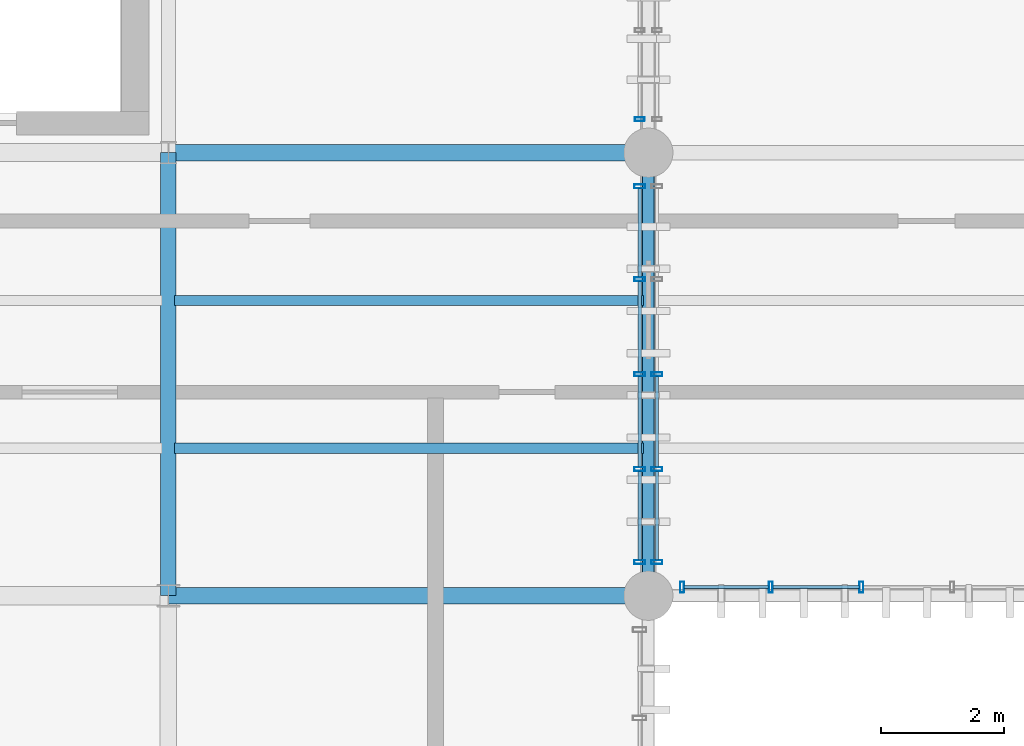
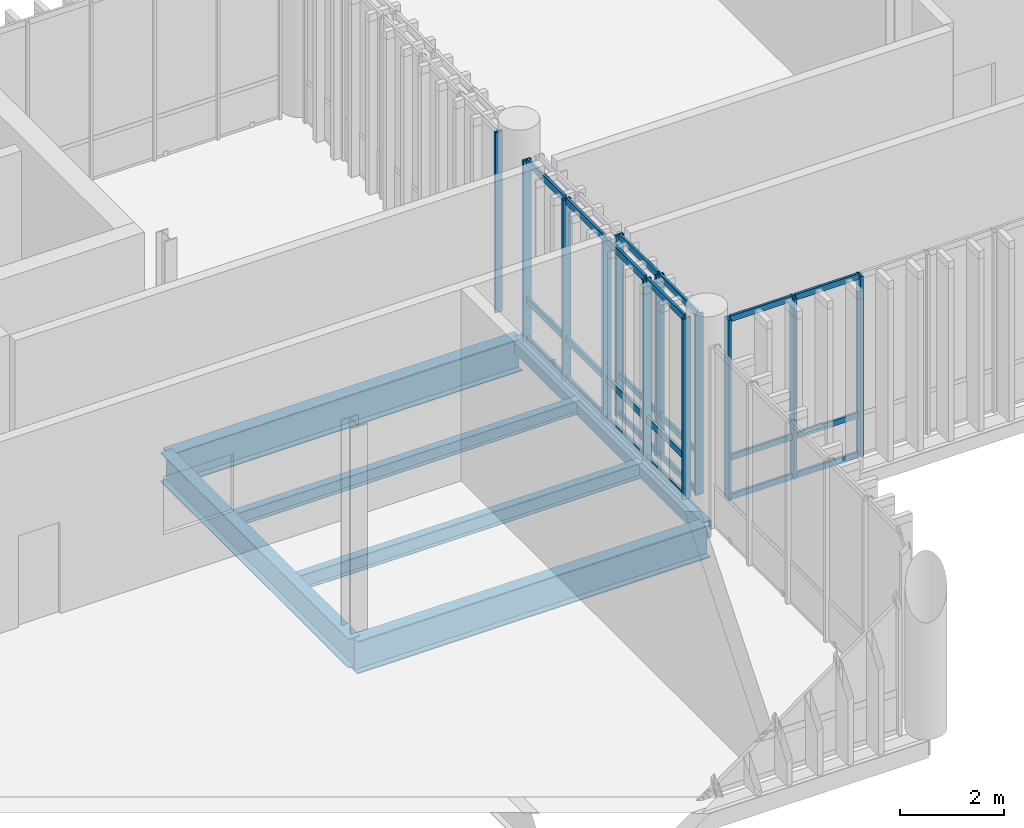
# One storey, part 26 of 94: 36 members, 6 beams, 4 elements without a shape of their own.
"""IFC4 building model written with IfcOpenShell, lengths in metres."""

from ifc_helpers import new_model, si_unit, direction, frame, origin_with_axes, origin_2d_with_axis, place, context, subcontext, project, spatial, hollow_rectangle, i_section, extrude, material, material_profile, profile_set, type_object, element, aggregate, save


model = new_model("IFC4")

# Units and contexts
model_context = context("Model", 3, precision=1e-05, world=origin_with_axes(), true_north=direction((0.0, 1.0)))
body_context = subcontext(model_context, "Body", "Model", "MODEL_VIEW")
ifc_project = project(units=[si_unit("LENGTHUNIT", "METRE"), si_unit("AREAUNIT", "SQUARE_METRE"), si_unit("VOLUMEUNIT", "CUBIC_METRE"), si_unit("PLANEANGLEUNIT", "RADIAN"), si_unit("MASSUNIT", "GRAM", prefix="KILO"), si_unit("THERMODYNAMICTEMPERATUREUNIT", "KELVIN")], contexts=[model_context])

# Site, building, storey
site_placement = place(None, origin_with_axes())
site = spatial("IfcSite", under=ifc_project, at=site_placement, CompositionType="ELEMENT")
building_placement = place(site_placement, origin_with_axes())
building = spatial("IfcBuilding", under=site, at=building_placement, Name="Montbau Bow Law Courts", CompositionType="ELEMENT")
storey_placement = place(building_placement, frame((0.0, 0.0, 15.6), z_axis=(0.0, 0.0, 1.0), x_axis=(1.0, 0.0, 0.0)))
storey = spatial("IfcBuildingStorey", under=building, at=storey_placement, Name="L03", CompositionType="ELEMENT", Elevation=15.6)

# Beams
ifc_material_1 = material(Name="Steel CSA G40.21 Grade 350W (350 MPa)", Category="steel")
ifc_material_profile_1 = material_profile(ifc_material_1, i_section(OverallWidth=0.267, OverallDepth=0.766, WebThickness=0.0149, FlangeThickness=0.0236, at=origin_2d_with_axis()), Name="W760X185", Category="Main", Priority=0)
ifc_profile_set_1 = profile_set([ifc_material_profile_1], Name="Steel CSA G40.21 Grade 350W (350 MPa)")
beam_type_1 = type_object("IfcBeamType", Name="B-FLR-03", PredefinedType="BEAM", material=ifc_profile_set_1)
for number, where, z_axis, x_axis, name in (
    (1, (39.0, 39.0, 14.957), (1.0, 0.0, 0.0), (0.0, 1.0, 0.0), "BM-L03-S0590:bm2_0593"),
    (2, (39.0, 46.2, 14.957), (1.0, 0.0, 0.0), (0.0, 1.0, 0.0), "BM-L03-S0595:bm2_0598"),
):
    element("IfcBeam", number, at=place(None, frame(where, z_axis=z_axis, x_axis=x_axis)), inside=storey, type_object=beam_type_1, Name=name, PredefinedType="BEAM", context=body_context, shape_type="SweptSolid", body=[
        extrude(i_section(OverallWidth=0.267, OverallDepth=0.766, WebThickness=0.0149, FlangeThickness=0.0236, at=origin_2d_with_axis()), origin_with_axes(), (0.0, 0.0, 1.0), 7.8),
    ])
ifc_material_profile_2 = material_profile(ifc_material_1, i_section(OverallWidth=0.254, OverallDepth=0.688, WebThickness=0.0131, FlangeThickness=0.0211, at=origin_2d_with_axis()), Name="W690X152", Category="Main", Priority=0)
ifc_profile_set_2 = profile_set([ifc_material_profile_2], Name="Steel CSA G40.21 Grade 350W (350 MPa)")
beam_type_2 = type_object("IfcBeamType", Name="B-FLR-04", PredefinedType="BEAM", material=ifc_profile_set_2)
beam_1_placement = place(None, frame((39.0, 39.0, 15.016), z_axis=(0.0, 1.0, 0.0), x_axis=(-1.0, 0.0, 0.0)))
element("IfcBeam", 3, at=beam_1_placement, inside=storey, type_object=beam_type_2, Name="BM-L03-S0612:bm2_0615", PredefinedType="BEAM", context=body_context, shape_type="SweptSolid", body=[
    extrude(i_section(OverallWidth=0.254, OverallDepth=0.688, WebThickness=0.0131, FlangeThickness=0.0211, at=origin_2d_with_axis()), origin_with_axes(), (0.0, 0.0, 1.0), 7.2),
])
ifc_material_profile_3 = material_profile(ifc_material_1, i_section(OverallWidth=0.172, OverallDepth=0.358, WebThickness=0.0079, FlangeThickness=0.0131, at=origin_2d_with_axis()), Name="W360X57", Category="Main", Priority=0)
ifc_profile_set_3 = profile_set([ifc_material_profile_3], Name="Steel CSA G40.21 Grade 350W (350 MPa)")
beam_type_3 = type_object("IfcBeamType", Name="B-JST-03", PredefinedType="JOIST", material=ifc_profile_set_3)
beam_2_placement = place(None, frame((39.103, 41.4, 15.161), z_axis=(1.0, 0.0, 0.0), x_axis=(0.0, 1.0, 0.0)))
element("IfcBeam", 4, at=beam_2_placement, inside=storey, type_object=beam_type_3, Name="JST-L03-S0298:jst2_0298", PredefinedType="JOIST", context=body_context, shape_type="SweptSolid", body=[
    extrude(i_section(OverallWidth=0.172, OverallDepth=0.358, WebThickness=0.0079, FlangeThickness=0.0131, at=origin_2d_with_axis()), origin_with_axes(), (0.0, 0.0, 1.0), 7.617),
])
ifc_material_profile_4 = material_profile(ifc_material_1, i_section(OverallWidth=0.166, OverallDepth=0.313, WebThickness=0.0066, FlangeThickness=0.0112, at=origin_2d_with_axis()), Name="W310X45", Category="Main", Priority=0)
ifc_profile_set_4 = profile_set([ifc_material_profile_4], Name="Steel CSA G40.21 Grade 350W (350 MPa)")
beam_type_4 = type_object("IfcBeamType", Name="B-JST-04", PredefinedType="JOIST", material=ifc_profile_set_4)
beam_3_placement = place(None, frame((39.103, 43.8, 15.184), z_axis=(1.0, 0.0, 0.0), x_axis=(0.0, 1.0, 0.0)))
element("IfcBeam", 5, at=beam_3_placement, inside=storey, type_object=beam_type_4, Name="JST-L03-S0299:jst2_0299", PredefinedType="JOIST", context=body_context, shape_type="SweptSolid", body=[
    extrude(i_section(OverallWidth=0.166, OverallDepth=0.313, WebThickness=0.0066, FlangeThickness=0.0112, at=origin_2d_with_axis()), origin_with_axes(), (0.0, 0.0, 1.0), 7.617),
])
ifc_material_2 = material(Name="Steel CSA G40.21 Grade 350WT (350 MPa)", Category="steel")
ifc_material_profile_5 = material_profile(ifc_material_2, hollow_rectangle(XDim=0.203, YDim=0.406, WallThickness=0.0127, InnerFilletRadius=0.0254, OuterFilletRadius=0.0127, at=origin_2d_with_axis()), Name="HSS406X203X13", Category="Main", Priority=0)
ifc_profile_set_5 = profile_set([ifc_material_profile_5], Name="Steel CSA G40.21 Grade 350WT (350 MPa)")
beam_type_5 = type_object("IfcBeamType", Name="B-SPN-01", PredefinedType="SPANDREL", material=ifc_profile_set_5)
beam_4_placement = place(None, frame((46.8, 39.0, 15.137), z_axis=(0.0, 1.0, 0.0), x_axis=(-1.0, 0.0, 0.0)))
element("IfcBeam", 6, at=beam_4_placement, inside=storey, type_object=beam_type_5, Name="SPN-L03-S0615:bm2_0618", PredefinedType="SPANDREL", context=body_context, shape_type="SweptSolid", body=[
    extrude(hollow_rectangle(XDim=0.203, YDim=0.406, WallThickness=0.0127, InnerFilletRadius=0.0254, OuterFilletRadius=0.0127, at=origin_2d_with_axis()), origin_with_axes(), (0.0, 0.0, 1.0), 7.2),
])

# Curtain wall, members
ifc_material_3 = material(Name="Thermally Broken Extruded Aluminium AA 6063-T6", Category="aluminium")
curtain_wall_type_1 = type_object("IfcCurtainWallType", Name="CW-TRC-01", PredefinedType="NOTDEFINED", material=ifc_material_3)
curtain_wall_1_placement = place(None, frame((46.66, 39.515, 15.6), z_axis=(0.0, 0.0, 1.0), x_axis=(1.0, 0.0, 0.0)))
curtain_wall_1 = element("IfcCurtainWall", 7, at=curtain_wall_1_placement, inside=storey, type_object=curtain_wall_type_1, Name="CW-L03-064:cw_0064", PredefinedType="NOTDEFINED")
ifc_material_profile_6 = material_profile(ifc_material_3, hollow_rectangle(XDim=0.065, YDim=0.18, WallThickness=0.005, InnerFilletRadius=0.01, OuterFilletRadius=0.005, at=origin_2d_with_axis()), Name="CWM-180X65", Category="Main", Priority=0)
ifc_profile_set_6 = profile_set([ifc_material_profile_6], Name="Thermally Broken Extruded Aluminium AA 6063-T6")
member_type_1 = type_object("IfcMemberType", Name="M-MUL-02", PredefinedType="MULLION", material=ifc_profile_set_6)
member_1_placement = place(None, frame((46.66, 39.548, 15.6), z_axis=(0.0, 0.0, 1.0), x_axis=(0.0, 1.0, 0.0)))
member_1 = element("IfcMember", 8, at=member_1_placement, type_object=member_type_1, Name="CW-L03-064-M01:cw_0064_M01", PredefinedType="MULLION", context=body_context, shape_type="SweptSolid", body=[
    extrude(hollow_rectangle(XDim=0.065, YDim=0.18, WallThickness=0.005, InnerFilletRadius=0.01, OuterFilletRadius=0.005, at=origin_2d_with_axis()), origin_with_axes(), (0.0, 0.0, 1.0), 4.22),
])
member_2_placement = place(None, frame((46.66, 41.058, 15.6), z_axis=(0.0, 0.0, 1.0), x_axis=(0.0, 1.0, 0.0)))
member_2 = element("IfcMember", 9, at=member_2_placement, type_object=member_type_1, Name="CW-L03-064-M02:cw_0064_M02", PredefinedType="MULLION", context=body_context, shape_type="SweptSolid", body=[
    extrude(hollow_rectangle(XDim=0.065, YDim=0.18, WallThickness=0.005, InnerFilletRadius=0.01, OuterFilletRadius=0.005, at=origin_2d_with_axis()), origin_with_axes(), (0.0, 0.0, 1.0), 4.22),
])
member_3_placement = place(None, frame((46.66, 42.6, 15.6), z_axis=(0.0, 0.0, 1.0), x_axis=(0.0, 1.0, 0.0)))
member_3 = element("IfcMember", 10, at=member_3_placement, type_object=member_type_1, Name="CW-L03-064-M03:cw_0064_M03", PredefinedType="MULLION", context=body_context, shape_type="SweptSolid", body=[
    extrude(hollow_rectangle(XDim=0.065, YDim=0.18, WallThickness=0.005, InnerFilletRadius=0.01, OuterFilletRadius=0.005, at=origin_2d_with_axis()), origin_with_axes(), (0.0, 0.0, 1.0), 4.22),
])
member_4_placement = place(None, frame((46.66, 44.143, 15.6), z_axis=(0.0, 0.0, 1.0), x_axis=(0.0, 1.0, 0.0)))
member_4 = element("IfcMember", 11, at=member_4_placement, type_object=member_type_1, Name="CW-L03-064-M04:cw_0064_M04", PredefinedType="MULLION", context=body_context, shape_type="SweptSolid", body=[
    extrude(hollow_rectangle(XDim=0.065, YDim=0.18, WallThickness=0.005, InnerFilletRadius=0.01, OuterFilletRadius=0.005, at=origin_2d_with_axis()), origin_with_axes(), (0.0, 0.0, 1.0), 4.22),
])
member_5_placement = place(None, frame((46.66, 45.653, 15.6), z_axis=(0.0, 0.0, 1.0), x_axis=(0.0, 1.0, 0.0)))
member_5 = element("IfcMember", 12, at=member_5_placement, type_object=member_type_1, Name="CW-L03-064-M05:cw_0064_M05", PredefinedType="MULLION", context=body_context, shape_type="SweptSolid", body=[
    extrude(hollow_rectangle(XDim=0.065, YDim=0.18, WallThickness=0.005, InnerFilletRadius=0.01, OuterFilletRadius=0.005, at=origin_2d_with_axis()), origin_with_axes(), (0.0, 0.0, 1.0), 4.22),
])

curtain_wall_type_2 = type_object("IfcCurtainWallType", Name="CW-CRM-01", PredefinedType="NOTDEFINED", material=ifc_material_3)
curtain_wall_2_placement = place(None, frame((47.315, 39.14, 15.6), z_axis=(0.0, 0.0, 1.0), x_axis=(1.0, 0.0, 0.0)))
curtain_wall_2 = element("IfcCurtainWall", 13, at=curtain_wall_2_placement, inside=storey, type_object=curtain_wall_type_2, Name="CW-L03-175:cw_0175", PredefinedType="NOTDEFINED")
member_6_placement = place(None, frame((47.348, 39.14, 15.6), z_axis=(0.0, 0.0, 1.0), x_axis=(1.0, 0.0, 0.0)))
member_6 = element("IfcMember", 14, at=member_6_placement, type_object=member_type_1, Name="CW-L03-175-M01:cw_0175_M01", PredefinedType="MULLION", context=body_context, shape_type="SweptSolid", body=[
    extrude(hollow_rectangle(XDim=0.065, YDim=0.18, WallThickness=0.005, InnerFilletRadius=0.01, OuterFilletRadius=0.005, at=origin_2d_with_axis()), origin_with_axes(), (0.0, 0.0, 1.0), 4.22),
])
member_7_placement = place(None, frame((48.789, 39.14, 15.6), z_axis=(0.0, 0.0, 1.0), x_axis=(1.0, 0.0, 0.0)))
member_7 = element("IfcMember", 15, at=member_7_placement, type_object=member_type_1, Name="CW-L03-175-M02:cw_0175_M02", PredefinedType="MULLION", context=body_context, shape_type="SweptSolid", body=[
    extrude(hollow_rectangle(XDim=0.065, YDim=0.18, WallThickness=0.005, InnerFilletRadius=0.01, OuterFilletRadius=0.005, at=origin_2d_with_axis()), origin_with_axes(), (0.0, 0.0, 1.0), 4.22),
])
member_8_placement = place(None, frame((50.263, 39.14, 15.6), z_axis=(0.0, 0.0, 1.0), x_axis=(1.0, 0.0, 0.0)))
member_8 = element("IfcMember", 16, at=member_8_placement, type_object=member_type_1, Name="CW-L03-175-M03:cw_0175_M03", PredefinedType="MULLION", context=body_context, shape_type="SweptSolid", body=[
    extrude(hollow_rectangle(XDim=0.065, YDim=0.18, WallThickness=0.005, InnerFilletRadius=0.01, OuterFilletRadius=0.005, at=origin_2d_with_axis()), origin_with_axes(), (0.0, 0.0, 1.0), 4.22),
])

curtain_wall_3_placement = place(None, frame((46.94, 39.515, 15.6), z_axis=(0.0, 0.0, 1.0), x_axis=(1.0, 0.0, 0.0)))
curtain_wall_3 = element("IfcCurtainWall", 17, at=curtain_wall_3_placement, inside=storey, type_object=curtain_wall_type_2, Name="CW-L03-187:cw_0187", PredefinedType="NOTDEFINED")
member_9_placement = place(None, frame((46.94, 39.548, 15.6), z_axis=(0.0, 0.0, 1.0), x_axis=(0.0, 1.0, 0.0)))
member_9 = element("IfcMember", 18, at=member_9_placement, type_object=member_type_1, Name="CW-L03-187-M01:cw_0187_M01", PredefinedType="MULLION", context=body_context, shape_type="SweptSolid", body=[
    extrude(hollow_rectangle(XDim=0.065, YDim=0.18, WallThickness=0.005, InnerFilletRadius=0.01, OuterFilletRadius=0.005, at=origin_2d_with_axis()), origin_with_axes(), (0.0, 0.0, 1.0), 4.22),
])
member_10_placement = place(None, frame((46.94, 41.058, 15.6), z_axis=(0.0, 0.0, 1.0), x_axis=(0.0, 1.0, 0.0)))
member_10 = element("IfcMember", 19, at=member_10_placement, type_object=member_type_1, Name="CW-L03-187-M02:cw_0187_M02", PredefinedType="MULLION", context=body_context, shape_type="SweptSolid", body=[
    extrude(hollow_rectangle(XDim=0.065, YDim=0.18, WallThickness=0.005, InnerFilletRadius=0.01, OuterFilletRadius=0.005, at=origin_2d_with_axis()), origin_with_axes(), (0.0, 0.0, 1.0), 4.22),
])
member_11_placement = place(None, frame((46.94, 42.6, 15.6), z_axis=(0.0, 0.0, 1.0), x_axis=(0.0, 1.0, 0.0)))
member_11 = element("IfcMember", 20, at=member_11_placement, type_object=member_type_1, Name="CW-L03-187-M03:cw_0187_M03", PredefinedType="MULLION", context=body_context, shape_type="SweptSolid", body=[
    extrude(hollow_rectangle(XDim=0.065, YDim=0.18, WallThickness=0.005, InnerFilletRadius=0.01, OuterFilletRadius=0.005, at=origin_2d_with_axis()), origin_with_axes(), (0.0, 0.0, 1.0), 4.22),
])

# Curtain wall, member
curtain_wall_4_placement = place(None, frame((46.66, 46.715, 15.6), z_axis=(0.0, 0.0, 1.0), x_axis=(1.0, 0.0, 0.0)))
curtain_wall_4 = element("IfcCurtainWall", 21, at=curtain_wall_4_placement, inside=storey, type_object=curtain_wall_type_1, Name="CW-L03-065:cw_0065", PredefinedType="NOTDEFINED")
ifc_material_profile_7 = material_profile(ifc_material_3, hollow_rectangle(XDim=0.06, YDim=0.16, WallThickness=0.004, InnerFilletRadius=0.008, OuterFilletRadius=0.004, at=origin_2d_with_axis()), Name="CWM-160X60", Category="Main", Priority=0)
ifc_profile_set_7 = profile_set([ifc_material_profile_7], Name="Thermally Broken Extruded Aluminium AA 6063-T6")
member_type_2 = type_object("IfcMemberType", Name="M-MUL-03", PredefinedType="MULLION", material=ifc_profile_set_7)
member_12_placement = place(None, frame((46.66, 46.745, 15.6), z_axis=(0.0, 0.0, 1.0), x_axis=(0.0, 1.0, 0.0)))
member_12 = element("IfcMember", 22, at=member_12_placement, type_object=member_type_2, Name="CW-L03-065-M01:cw_0065_M01", PredefinedType="MULLION", context=body_context, shape_type="SweptSolid", body=[
    extrude(hollow_rectangle(XDim=0.06, YDim=0.16, WallThickness=0.004, InnerFilletRadius=0.008, OuterFilletRadius=0.004, at=origin_2d_with_axis()), origin_with_axes(), (0.0, 0.0, 1.0), 4.22),
])
aggregate(curtain_wall_4, [member_12])

# Member
ifc_material_profile_8 = material_profile(ifc_material_3, hollow_rectangle(XDim=0.06, YDim=0.16, WallThickness=0.004, InnerFilletRadius=0.008, OuterFilletRadius=0.004, at=origin_2d_with_axis()), Name="CWT-160X60", Category="Main", Priority=0)
ifc_profile_set_8 = profile_set([ifc_material_profile_8], Name="Thermally Broken Extruded Aluminium AA 6063-T6")
member_type_3 = type_object("IfcMemberType", Name="M-TRN-01", PredefinedType="USERDEFINED", material=ifc_profile_set_8)
member_13_placement = place(None, frame((46.66, 39.583, 15.63), z_axis=(0.0, 1.0, 0.0), x_axis=(-1.0, 0.0, 0.0)))
member_13 = element("IfcMember", 23, at=member_13_placement, type_object=member_type_3, Name="CW-L03-064-T01-1:cw_0064_T01_1", ObjectType="TRANSOM", PredefinedType="USERDEFINED", context=body_context, shape_type="SweptSolid", body=[
    extrude(hollow_rectangle(XDim=0.06, YDim=0.16, WallThickness=0.004, InnerFilletRadius=0.008, OuterFilletRadius=0.004, at=origin_2d_with_axis()), origin_with_axes(), (0.0, 0.0, 1.0), 1.44),
])

member_14_placement = place(None, frame((46.66, 39.583, 16.55), z_axis=(0.0, 1.0, 0.0), x_axis=(-1.0, 0.0, 0.0)))
member_14 = element("IfcMember", 24, at=member_14_placement, type_object=member_type_3, Name="CW-L03-064-T01-2:cw_0064_T01_2", ObjectType="TRANSOM", PredefinedType="USERDEFINED", context=body_context, shape_type="SweptSolid", body=[
    extrude(hollow_rectangle(XDim=0.06, YDim=0.16, WallThickness=0.004, InnerFilletRadius=0.008, OuterFilletRadius=0.004, at=origin_2d_with_axis()), origin_with_axes(), (0.0, 0.0, 1.0), 1.44),
])

member_15_placement = place(None, frame((46.66, 39.583, 19.79), z_axis=(0.0, 1.0, 0.0), x_axis=(-1.0, 0.0, 0.0)))
member_15 = element("IfcMember", 25, at=member_15_placement, type_object=member_type_3, Name="CW-L03-064-T01-3:cw_0064_T01_3", ObjectType="TRANSOM", PredefinedType="USERDEFINED", context=body_context, shape_type="SweptSolid", body=[
    extrude(hollow_rectangle(XDim=0.06, YDim=0.16, WallThickness=0.004, InnerFilletRadius=0.008, OuterFilletRadius=0.004, at=origin_2d_with_axis()), origin_with_axes(), (0.0, 0.0, 1.0), 1.44),
])

member_16_placement = place(None, frame((46.66, 41.092, 15.63), z_axis=(0.0, 1.0, 0.0), x_axis=(-1.0, 0.0, 0.0)))
member_16 = element("IfcMember", 26, at=member_16_placement, type_object=member_type_3, Name="CW-L03-064-T02-1:cw_0064_T02_1", ObjectType="TRANSOM", PredefinedType="USERDEFINED", context=body_context, shape_type="SweptSolid", body=[
    extrude(hollow_rectangle(XDim=0.06, YDim=0.16, WallThickness=0.004, InnerFilletRadius=0.008, OuterFilletRadius=0.004, at=origin_2d_with_axis()), origin_with_axes(), (0.0, 0.0, 1.0), 1.473),
])

member_17_placement = place(None, frame((46.66, 41.092, 16.55), z_axis=(0.0, 1.0, 0.0), x_axis=(-1.0, 0.0, 0.0)))
member_17 = element("IfcMember", 27, at=member_17_placement, type_object=member_type_3, Name="CW-L03-064-T02-2:cw_0064_T02_2", ObjectType="TRANSOM", PredefinedType="USERDEFINED", context=body_context, shape_type="SweptSolid", body=[
    extrude(hollow_rectangle(XDim=0.06, YDim=0.16, WallThickness=0.004, InnerFilletRadius=0.008, OuterFilletRadius=0.004, at=origin_2d_with_axis()), origin_with_axes(), (0.0, 0.0, 1.0), 1.473),
])

member_18_placement = place(None, frame((46.66, 41.092, 19.79), z_axis=(0.0, 1.0, 0.0), x_axis=(-1.0, 0.0, 0.0)))
member_18 = element("IfcMember", 28, at=member_18_placement, type_object=member_type_3, Name="CW-L03-064-T02-3:cw_0064_T02_3", ObjectType="TRANSOM", PredefinedType="USERDEFINED", context=body_context, shape_type="SweptSolid", body=[
    extrude(hollow_rectangle(XDim=0.06, YDim=0.16, WallThickness=0.004, InnerFilletRadius=0.008, OuterFilletRadius=0.004, at=origin_2d_with_axis()), origin_with_axes(), (0.0, 0.0, 1.0), 1.473),
])

member_19_placement = place(None, frame((46.66, 42.634, 15.63), z_axis=(0.0, 1.0, 0.0), x_axis=(-1.0, 0.0, 0.0)))
member_19 = element("IfcMember", 29, at=member_19_placement, type_object=member_type_3, Name="CW-L03-064-T03-1:cw_0064_T03_1", ObjectType="TRANSOM", PredefinedType="USERDEFINED", context=body_context, shape_type="SweptSolid", body=[
    extrude(hollow_rectangle(XDim=0.06, YDim=0.16, WallThickness=0.004, InnerFilletRadius=0.008, OuterFilletRadius=0.004, at=origin_2d_with_axis()), origin_with_axes(), (0.0, 0.0, 1.0), 1.475),
])

member_20_placement = place(None, frame((46.66, 42.634, 16.55), z_axis=(0.0, 1.0, 0.0), x_axis=(-1.0, 0.0, 0.0)))
member_20 = element("IfcMember", 30, at=member_20_placement, type_object=member_type_3, Name="CW-L03-064-T03-2:cw_0064_T03_2", ObjectType="TRANSOM", PredefinedType="USERDEFINED", context=body_context, shape_type="SweptSolid", body=[
    extrude(hollow_rectangle(XDim=0.06, YDim=0.16, WallThickness=0.004, InnerFilletRadius=0.008, OuterFilletRadius=0.004, at=origin_2d_with_axis()), origin_with_axes(), (0.0, 0.0, 1.0), 1.475),
])

member_21_placement = place(None, frame((46.66, 42.634, 19.79), z_axis=(0.0, 1.0, 0.0), x_axis=(-1.0, 0.0, 0.0)))
member_21 = element("IfcMember", 31, at=member_21_placement, type_object=member_type_3, Name="CW-L03-064-T03-3:cw_0064_T03_3", ObjectType="TRANSOM", PredefinedType="USERDEFINED", context=body_context, shape_type="SweptSolid", body=[
    extrude(hollow_rectangle(XDim=0.06, YDim=0.16, WallThickness=0.004, InnerFilletRadius=0.008, OuterFilletRadius=0.004, at=origin_2d_with_axis()), origin_with_axes(), (0.0, 0.0, 1.0), 1.475),
])

member_22_placement = place(None, frame((46.66, 44.177, 15.63), z_axis=(0.0, 1.0, 0.0), x_axis=(-1.0, 0.0, 0.0)))
member_22 = element("IfcMember", 32, at=member_22_placement, type_object=member_type_3, Name="CW-L03-064-T04-1:cw_0064_T04_1", ObjectType="TRANSOM", PredefinedType="USERDEFINED", context=body_context, shape_type="SweptSolid", body=[
    extrude(hollow_rectangle(XDim=0.06, YDim=0.16, WallThickness=0.004, InnerFilletRadius=0.008, OuterFilletRadius=0.004, at=origin_2d_with_axis()), origin_with_axes(), (0.0, 0.0, 1.0), 1.442),
])

member_23_placement = place(None, frame((46.66, 44.177, 16.55), z_axis=(0.0, 1.0, 0.0), x_axis=(-1.0, 0.0, 0.0)))
member_23 = element("IfcMember", 33, at=member_23_placement, type_object=member_type_3, Name="CW-L03-064-T04-2:cw_0064_T04_2", ObjectType="TRANSOM", PredefinedType="USERDEFINED", context=body_context, shape_type="SweptSolid", body=[
    extrude(hollow_rectangle(XDim=0.06, YDim=0.16, WallThickness=0.004, InnerFilletRadius=0.008, OuterFilletRadius=0.004, at=origin_2d_with_axis()), origin_with_axes(), (0.0, 0.0, 1.0), 1.442),
])

member_24_placement = place(None, frame((46.66, 44.177, 19.79), z_axis=(0.0, 1.0, 0.0), x_axis=(-1.0, 0.0, 0.0)))
member_24 = element("IfcMember", 34, at=member_24_placement, type_object=member_type_3, Name="CW-L03-064-T04-3:cw_0064_T04_3", ObjectType="TRANSOM", PredefinedType="USERDEFINED", context=body_context, shape_type="SweptSolid", body=[
    extrude(hollow_rectangle(XDim=0.06, YDim=0.16, WallThickness=0.004, InnerFilletRadius=0.008, OuterFilletRadius=0.004, at=origin_2d_with_axis()), origin_with_axes(), (0.0, 0.0, 1.0), 1.442),
])

aggregate(curtain_wall_1, [member_1, member_2, member_3, member_4, member_5, member_13, member_14, member_15, member_16, member_17, member_18, member_19, member_20, member_21, member_22, member_23, member_24])

ifc_material_profile_9 = material_profile(ifc_material_3, hollow_rectangle(XDim=0.055, YDim=0.14, WallThickness=0.004, InnerFilletRadius=0.008, OuterFilletRadius=0.004, at=origin_2d_with_axis()), Name="CWT-140X55", Category="Main", Priority=0)
ifc_profile_set_9 = profile_set([ifc_material_profile_9], Name="Thermally Broken Extruded Aluminium AA 6063-T6")
member_type_4 = type_object("IfcMemberType", Name="M-TRN-02", PredefinedType="USERDEFINED", material=ifc_profile_set_9)
member_25_placement = place(None, frame((47.383, 39.14, 15.627), z_axis=(1.0, 0.0, 0.0), x_axis=(0.0, 1.0, 0.0)))
member_25 = element("IfcMember", 35, at=member_25_placement, type_object=member_type_4, Name="CW-L03-175-T01-1:cw_0175_T01_1", ObjectType="TRANSOM", PredefinedType="USERDEFINED", context=body_context, shape_type="SweptSolid", body=[
    extrude(hollow_rectangle(XDim=0.055, YDim=0.14, WallThickness=0.004, InnerFilletRadius=0.008, OuterFilletRadius=0.004, at=origin_2d_with_axis()), origin_with_axes(), (0.0, 0.0, 1.0), 1.372),
])

member_26_placement = place(None, frame((47.383, 39.14, 16.55), z_axis=(1.0, 0.0, 0.0), x_axis=(0.0, 1.0, 0.0)))
member_26 = element("IfcMember", 36, at=member_26_placement, type_object=member_type_4, Name="CW-L03-175-T01-2:cw_0175_T01_2", ObjectType="TRANSOM", PredefinedType="USERDEFINED", context=body_context, shape_type="SweptSolid", body=[
    extrude(hollow_rectangle(XDim=0.055, YDim=0.14, WallThickness=0.004, InnerFilletRadius=0.008, OuterFilletRadius=0.004, at=origin_2d_with_axis()), origin_with_axes(), (0.0, 0.0, 1.0), 1.372),
])

member_27_placement = place(None, frame((47.383, 39.14, 19.793), z_axis=(1.0, 0.0, 0.0), x_axis=(0.0, 1.0, 0.0)))
member_27 = element("IfcMember", 37, at=member_27_placement, type_object=member_type_4, Name="CW-L03-175-T01-3:cw_0175_T01_3", ObjectType="TRANSOM", PredefinedType="USERDEFINED", context=body_context, shape_type="SweptSolid", body=[
    extrude(hollow_rectangle(XDim=0.055, YDim=0.14, WallThickness=0.004, InnerFilletRadius=0.008, OuterFilletRadius=0.004, at=origin_2d_with_axis()), origin_with_axes(), (0.0, 0.0, 1.0), 1.372),
])

member_28_placement = place(None, frame((48.823, 39.14, 15.627), z_axis=(1.0, 0.0, 0.0), x_axis=(0.0, 1.0, 0.0)))
member_28 = element("IfcMember", 38, at=member_28_placement, type_object=member_type_4, Name="CW-L03-175-T02-1:cw_0175_T02_1", ObjectType="TRANSOM", PredefinedType="USERDEFINED", context=body_context, shape_type="SweptSolid", body=[
    extrude(hollow_rectangle(XDim=0.055, YDim=0.14, WallThickness=0.004, InnerFilletRadius=0.008, OuterFilletRadius=0.004, at=origin_2d_with_axis()), origin_with_axes(), (0.0, 0.0, 1.0), 1.405),
])

member_29_placement = place(None, frame((48.823, 39.14, 16.55), z_axis=(1.0, 0.0, 0.0), x_axis=(0.0, 1.0, 0.0)))
member_29 = element("IfcMember", 39, at=member_29_placement, type_object=member_type_4, Name="CW-L03-175-T02-2:cw_0175_T02_2", ObjectType="TRANSOM", PredefinedType="USERDEFINED", context=body_context, shape_type="SweptSolid", body=[
    extrude(hollow_rectangle(XDim=0.055, YDim=0.14, WallThickness=0.004, InnerFilletRadius=0.008, OuterFilletRadius=0.004, at=origin_2d_with_axis()), origin_with_axes(), (0.0, 0.0, 1.0), 1.405),
])

member_30_placement = place(None, frame((48.823, 39.14, 19.793), z_axis=(1.0, 0.0, 0.0), x_axis=(0.0, 1.0, 0.0)))
member_30 = element("IfcMember", 40, at=member_30_placement, type_object=member_type_4, Name="CW-L03-175-T02-3:cw_0175_T02_3", ObjectType="TRANSOM", PredefinedType="USERDEFINED", context=body_context, shape_type="SweptSolid", body=[
    extrude(hollow_rectangle(XDim=0.055, YDim=0.14, WallThickness=0.004, InnerFilletRadius=0.008, OuterFilletRadius=0.004, at=origin_2d_with_axis()), origin_with_axes(), (0.0, 0.0, 1.0), 1.405),
])

aggregate(curtain_wall_2, [member_6, member_7, member_8, member_25, member_26, member_27, member_28, member_29, member_30])

member_31_placement = place(None, frame((46.94, 39.583, 15.627), z_axis=(0.0, 1.0, 0.0), x_axis=(-1.0, 0.0, 0.0)))
member_31 = element("IfcMember", 41, at=member_31_placement, type_object=member_type_4, Name="CW-L03-187-T01-1:cw_0187_T01_1", ObjectType="TRANSOM", PredefinedType="USERDEFINED", context=body_context, shape_type="SweptSolid", body=[
    extrude(hollow_rectangle(XDim=0.055, YDim=0.14, WallThickness=0.004, InnerFilletRadius=0.008, OuterFilletRadius=0.004, at=origin_2d_with_axis()), origin_with_axes(), (0.0, 0.0, 1.0), 1.44),
])

member_32_placement = place(None, frame((46.94, 39.583, 16.55), z_axis=(0.0, 1.0, 0.0), x_axis=(-1.0, 0.0, 0.0)))
member_32 = element("IfcMember", 42, at=member_32_placement, type_object=member_type_4, Name="CW-L03-187-T01-2:cw_0187_T01_2", ObjectType="TRANSOM", PredefinedType="USERDEFINED", context=body_context, shape_type="SweptSolid", body=[
    extrude(hollow_rectangle(XDim=0.055, YDim=0.14, WallThickness=0.004, InnerFilletRadius=0.008, OuterFilletRadius=0.004, at=origin_2d_with_axis()), origin_with_axes(), (0.0, 0.0, 1.0), 1.44),
])

member_33_placement = place(None, frame((46.94, 39.583, 19.793), z_axis=(0.0, 1.0, 0.0), x_axis=(-1.0, 0.0, 0.0)))
member_33 = element("IfcMember", 43, at=member_33_placement, type_object=member_type_4, Name="CW-L03-187-T01-3:cw_0187_T01_3", ObjectType="TRANSOM", PredefinedType="USERDEFINED", context=body_context, shape_type="SweptSolid", body=[
    extrude(hollow_rectangle(XDim=0.055, YDim=0.14, WallThickness=0.004, InnerFilletRadius=0.008, OuterFilletRadius=0.004, at=origin_2d_with_axis()), origin_with_axes(), (0.0, 0.0, 1.0), 1.44),
])

member_34_placement = place(None, frame((46.94, 41.092, 15.627), z_axis=(0.0, 1.0, 0.0), x_axis=(-1.0, 0.0, 0.0)))
member_34 = element("IfcMember", 44, at=member_34_placement, type_object=member_type_4, Name="CW-L03-187-T02-1:cw_0187_T02_1", ObjectType="TRANSOM", PredefinedType="USERDEFINED", context=body_context, shape_type="SweptSolid", body=[
    extrude(hollow_rectangle(XDim=0.055, YDim=0.14, WallThickness=0.004, InnerFilletRadius=0.008, OuterFilletRadius=0.004, at=origin_2d_with_axis()), origin_with_axes(), (0.0, 0.0, 1.0), 1.473),
])

member_35_placement = place(None, frame((46.94, 41.092, 16.55), z_axis=(0.0, 1.0, 0.0), x_axis=(-1.0, 0.0, 0.0)))
member_35 = element("IfcMember", 45, at=member_35_placement, type_object=member_type_4, Name="CW-L03-187-T02-2:cw_0187_T02_2", ObjectType="TRANSOM", PredefinedType="USERDEFINED", context=body_context, shape_type="SweptSolid", body=[
    extrude(hollow_rectangle(XDim=0.055, YDim=0.14, WallThickness=0.004, InnerFilletRadius=0.008, OuterFilletRadius=0.004, at=origin_2d_with_axis()), origin_with_axes(), (0.0, 0.0, 1.0), 1.473),
])

member_36_placement = place(None, frame((46.94, 41.092, 19.793), z_axis=(0.0, 1.0, 0.0), x_axis=(-1.0, 0.0, 0.0)))
member_36 = element("IfcMember", 46, at=member_36_placement, type_object=member_type_4, Name="CW-L03-187-T02-3:cw_0187_T02_3", ObjectType="TRANSOM", PredefinedType="USERDEFINED", context=body_context, shape_type="SweptSolid", body=[
    extrude(hollow_rectangle(XDim=0.055, YDim=0.14, WallThickness=0.004, InnerFilletRadius=0.008, OuterFilletRadius=0.004, at=origin_2d_with_axis()), origin_with_axes(), (0.0, 0.0, 1.0), 1.473),
])

aggregate(curtain_wall_3, [member_9, member_10, member_11, member_31, member_32, member_33, member_34, member_35, member_36])

save(model, "model.ifc")
